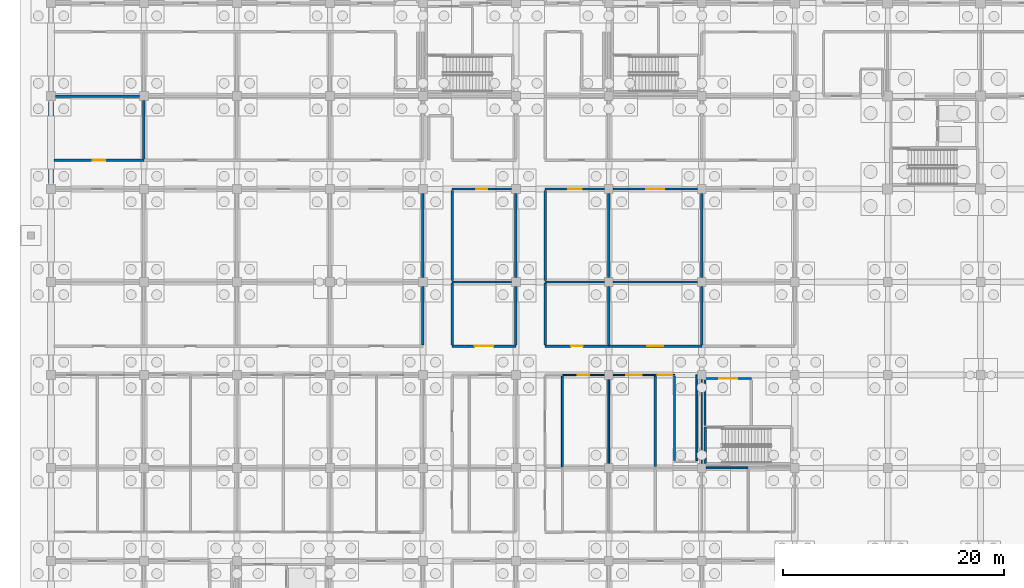
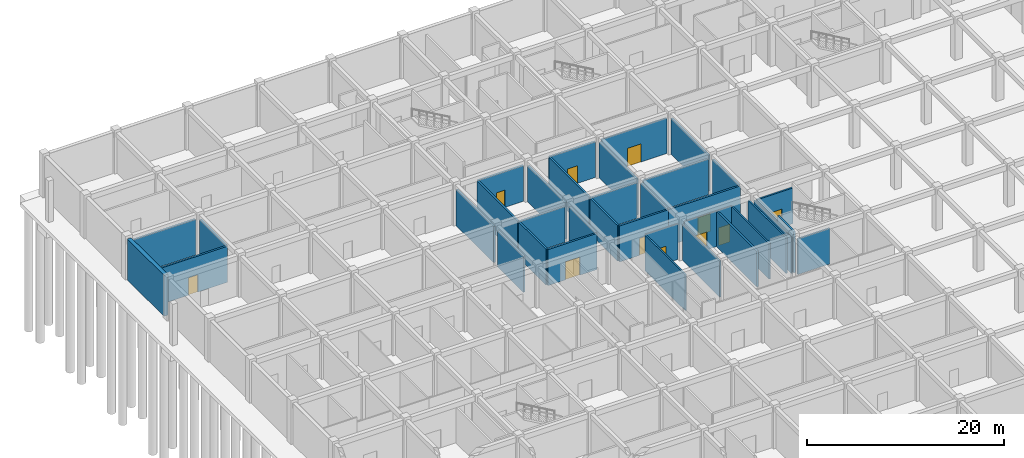
# One storey, part 38 of 65: 38 walls, 11 doors, 11 openings.
"""IFC4 building model written with IfcOpenShell, lengths in metres."""

from ifc_helpers import new_model, si_unit, direction, frame, frame_2d, origin, place, context, subcontext, project, spatial, rectangle, extrude, material, layer, layer_set, type_object, element, fill, save


model = new_model("IFC4")

# Units and contexts
model_context = context("Model", 3, precision=1e-05, world=origin(), true_north=direction((0.0, 1.0)))
body_context = subcontext(model_context, "Body", "Model", "MODEL_VIEW")
ifc_project = project(units=[si_unit("LENGTHUNIT", "METRE"), si_unit("AREAUNIT", "SQUARE_METRE"), si_unit("VOLUMEUNIT", "CUBIC_METRE"), si_unit("PLANEANGLEUNIT", "RADIAN"), si_unit("MASSUNIT", "GRAM", prefix="KILO")], contexts=[model_context])

# Site, building, storey
site_placement = place(None, origin())
site = spatial("IfcSite", under=ifc_project, at=site_placement, CompositionType="ELEMENT")
building_placement = place(site_placement, origin())
building = spatial("IfcBuilding", under=site, at=building_placement, Name="Bramfleet General Hospital", CompositionType="ELEMENT")
storey_placement = place(building_placement, frame((0.0, 0.0, -5.39990234375)))
storey = spatial("IfcBuildingStorey", under=building, at=storey_placement, Name="B1", CompositionType="ELEMENT", Elevation=-5.39990234375)

# Wall
ifc_material_1 = material(Name="Concrete C35/45", Category="concrete")
ifc_layer_1 = layer(ifc_material_1, 0.449951171875, Name="WT-EW-01")
ifc_layer_set_1 = layer_set([ifc_layer_1], Name="Concrete C35/45")
wall_type_1 = type_object("IfcWallType", Name="WT-EW-01", PredefinedType="SOLIDWALL", material=ifc_layer_set_1)
wall_1_placement = place(storey_placement, frame((0.0, 92.875, 0.0), z_axis=(0.0, 0.0, 1.0), x_axis=(0.0, 1.0, 0.0)))
element("IfcWall", 1, at=wall_1_placement, inside=storey, type_object=wall_type_1, Name="B1 Waterproof Retaining Wall 5", PredefinedType="SOLIDWALL", context=body_context, shape_type="SweptSolid", body=[
    extrude(rectangle(XDim=7.449951171875, YDim=0.449951171875, at=frame_2d((3.72509765625, 0.0))), origin(), (0.0, 0.0, 1.0), 5.079833984375),
])

# Wall, opening, door
ifc_layer_2 = layer(ifc_material_1, 0.219970703125, Name="WT-IW-01")
ifc_layer_set_2 = layer_set([ifc_layer_2], Name="Concrete C35/45")
wall_type_2 = type_object("IfcWallType", Name="WT-IW-01", PredefinedType="PARTITIONING", material=ifc_layer_set_2)
wall_2_placement = place(storey_placement, frame((36.25, 78.199951171875, 0.0), z_axis=(0.0, 0.0, 1.0), x_axis=(1.0, 0.0, 0.0)))
wall_2 = element("IfcWall", 2, at=wall_2_placement, inside=storey, type_object=wall_type_2, Name="B1 Interior Partition IW-B1-0227", PredefinedType="PARTITIONING", context=body_context, shape_type="SweptSolid", body=[
    extrude(rectangle(XDim=5.75, YDim=0.219970703125, at=frame_2d((2.875, 0.0))), origin(), (0.0, 0.0, 1.0), 4.469970703125),
])
opening_1_placement = place(wall_2_placement, frame((2.02490234375, 0.0, 0.0)))
opening_1 = element("IfcOpeningElement", 3, at=opening_1_placement, cuts=wall_2, Name="Opening D0263", PredefinedType="OPENING", context=body_context, shape_type="SweptSolid", body=[
    extrude(rectangle(XDim=1.699951171875, YDim=2.25, at=frame_2d((0.85009765625, 1.125))), frame((0.0, 0.119873046875, 0.0), z_axis=(0.0, -1.0, 0.0), x_axis=(1.0, 0.0, 0.0)), (0.0, 0.0, 1.0), 0.239990234375),
])
ifc_material_2 = material(Name="Stainless steel and acoustic timber leaf", Category="steel")
door_type_1 = type_object("IfcDoorType", Name="DR-D-07", OperationType="NOTDEFINED", PredefinedType="DOOR", material=ifc_material_2)
door_1_placement = place(opening_1_placement, origin())
door_1 = element("IfcDoor", 4, at=door_1_placement, inside=storey, type_object=door_type_1, Name="Central Sterile Supply Room B1-0409 Door D0263", OperationType="DOUBLE_SWING_RIGHT", OverallHeight=2.25, OverallWidth=1.699951171875, PredefinedType="DOOR", context=body_context, shape_type="SweptSolid", body=[
    extrude(rectangle(XDim=1.699951171875, YDim=2.25, at=frame_2d((0.85009765625, 1.125))), frame((0.0, 0.02490234375, 0.0), z_axis=(0.0, -1.0, 0.0), x_axis=(1.0, 0.0, 0.0)), (0.0, 0.0, 1.0), 0.050048828125),
])
fill(opening_1, door_1)

wall_3_placement = place(storey_placement, frame((44.64990234375, 78.199951171875, 0.0), z_axis=(0.0, 0.0, 1.0), x_axis=(1.0, 0.0, 0.0)))
wall_3 = element("IfcWall", 5, at=wall_3_placement, inside=storey, type_object=wall_type_2, Name="B1 Interior Partition IW-B1-0228", PredefinedType="PARTITIONING", context=body_context, shape_type="SweptSolid", body=[
    extrude(rectangle(XDim=5.75, YDim=0.219970703125, at=frame_2d((2.875, 0.0))), origin(), (0.0, 0.0, 1.0), 4.469970703125),
])
opening_2_placement = place(wall_3_placement, frame((2.3349609375, 0.0, 0.0)))
opening_2 = element("IfcOpeningElement", 6, at=opening_2_placement, cuts=wall_3, Name="Opening D0278", PredefinedType="OPENING", context=body_context, shape_type="SweptSolid", body=[
    extrude(rectangle(XDim=1.080078125, YDim=2.1201171875, at=frame_2d((0.5400390625, 1.06005859375))), frame((0.0, 0.119873046875, 0.0), z_axis=(0.0, -1.0, 0.0), x_axis=(1.0, 0.0, 0.0)), (0.0, 0.0, 1.0), 0.239990234375),
])
door_type_2 = type_object("IfcDoorType", Name="DR-D-22", OperationType="NOTDEFINED", PredefinedType="DOOR", material=ifc_material_2)
door_2_placement = place(opening_2_placement, origin())
door_2 = element("IfcDoor", 7, at=door_2_placement, inside=storey, type_object=door_type_2, Name="Central Sterile Supply Room B1-0509 Door D0278", OperationType="SINGLE_SWING_LEFT", OverallHeight=2.1201171875, OverallWidth=1.080078125, PredefinedType="DOOR", context=body_context, shape_type="SweptSolid", body=[
    extrude(rectangle(XDim=1.080078125, YDim=2.1201171875, at=frame_2d((0.5400390625, 1.06005859375))), frame((0.0, 0.02490234375, 0.0), z_axis=(0.0, -1.0, 0.0), x_axis=(1.0, 0.0, 0.0)), (0.0, 0.0, 1.0), 0.050048828125),
])
fill(opening_2, door_2)

wall_4_placement = place(storey_placement, frame((50.39990234375, 78.199951171875, 0.0), z_axis=(0.0, 0.0, 1.0), x_axis=(1.0, 0.0, 0.0)))
wall_4 = element("IfcWall", 8, at=wall_4_placement, inside=storey, type_object=wall_type_2, Name="B1 Interior Partition IW-B1-0229", PredefinedType="PARTITIONING", context=body_context, shape_type="SweptSolid", body=[
    extrude(rectangle(XDim=8.400146484375, YDim=0.219970703125, at=frame_2d((4.2001953125, 0.0))), origin(), (0.0, 0.0, 1.0), 4.469970703125),
])
opening_3_placement = place(wall_4_placement, frame((3.47509765625, 0.0, 0.0)))
opening_3 = element("IfcOpeningElement", 9, at=opening_3_placement, cuts=wall_4, Name="Opening D0291", PredefinedType="OPENING", context=body_context, shape_type="SweptSolid", body=[
    extrude(rectangle(XDim=1.449951171875, YDim=2.199951171875, at=frame_2d((0.72509765625, 1.10009765625))), frame((0.0, 0.119873046875, 0.0), z_axis=(0.0, -1.0, 0.0), x_axis=(1.0, 0.0, 0.0)), (0.0, 0.0, 1.0), 0.239990234375),
])
door_type_3 = type_object("IfcDoorType", Name="DR-D-03", OperationType="NOTDEFINED", PredefinedType="DOOR", material=ifc_material_2)
door_3_placement = place(opening_3_placement, origin())
door_3 = element("IfcDoor", 10, at=door_3_placement, inside=storey, type_object=door_type_3, Name="Central Sterile Supply Room B1-0609 Door D0291", OperationType="SINGLE_SWING_RIGHT", OverallHeight=2.199951171875, OverallWidth=1.449951171875, PredefinedType="DOOR", context=body_context, shape_type="SweptSolid", body=[
    extrude(rectangle(XDim=1.449951171875, YDim=2.199951171875, at=frame_2d((0.72509765625, 1.10009765625))), frame((0.0, 0.02490234375, 0.0), z_axis=(0.0, -1.0, 0.0), x_axis=(1.0, 0.0, 0.0)), (0.0, 0.0, 1.0), 0.050048828125),
])
fill(opening_3, door_3)

# Walls
for number, where, z_axis, x_axis, name in (
    (11, (36.25, 84.0, 0.0), (0.0, 0.0, 1.0), (1.0, 0.0, 0.0), "B1 Interior Partition IW-B1-0238"),
    (12, (44.64990234375, 84.0, 0.0), (0.0, 0.0, 1.0), (1.0, 0.0, 0.0), "B1 Interior Partition IW-B1-0239"),
):
    element("IfcWall", number, at=place(storey_placement, frame(where, z_axis=z_axis, x_axis=x_axis)), inside=storey, type_object=wall_type_2, Name=name, PredefinedType="PARTITIONING", context=body_context, shape_type="SweptSolid", body=[
        extrude(rectangle(XDim=5.35498046875, YDim=0.219970703125, at=frame_2d((2.677490234375, 0.0))), origin(), (0.0, 0.0, 1.0), 4.419921875),
    ])
wall_5_placement = place(storey_placement, frame((50.794921875, 84.0, 0.0), z_axis=(0.0, 0.0, 1.0), x_axis=(1.0, 0.0, 0.0)))
element("IfcWall", 13, at=wall_5_placement, inside=storey, type_object=wall_type_2, Name="B1 Interior Partition IW-B1-0240", PredefinedType="PARTITIONING", context=body_context, shape_type="SweptSolid", body=[
    extrude(rectangle(XDim=7.610107421875, YDim=0.219970703125, at=frame_2d((3.80517578125, 0.0))), origin(), (0.0, 0.0, 1.0), 4.419921875),
])

# Wall, opening, door
wall_6_placement = place(storey_placement, frame((36.25, 92.39990234375, 0.0), z_axis=(0.0, 0.0, 1.0), x_axis=(1.0, 0.0, 0.0)))
wall_6 = element("IfcWall", 14, at=wall_6_placement, inside=storey, type_object=wall_type_2, Name="B1 Interior Partition IW-B1-0257", PredefinedType="PARTITIONING", context=body_context, shape_type="SweptSolid", body=[
    extrude(rectangle(XDim=5.35498046875, YDim=0.219970703125, at=frame_2d((2.677490234375, 0.0))), origin(), (0.0, 0.0, 1.0), 4.419921875),
])
opening_4_placement = place(wall_6_placement, frame((2.177490234375, 0.0, 0.0)))
opening_4 = element("IfcOpeningElement", 15, at=opening_4_placement, cuts=wall_6, Name="Opening D0264", PredefinedType="OPENING", context=body_context, shape_type="SweptSolid", body=[
    extrude(rectangle(XDim=1.0, YDim=2.14990234375, at=frame_2d((0.5, 1.074951171875))), frame((0.0, 0.119873046875, 0.0), z_axis=(0.0, -1.0, 0.0), x_axis=(1.0, 0.0, 0.0)), (0.0, 0.0, 1.0), 0.239990234375),
])
door_type_4 = type_object("IfcDoorType", Name="DR-D-08", OperationType="NOTDEFINED", PredefinedType="DOOR", material=ifc_material_2)
door_4_placement = place(opening_4_placement, origin())
door_4 = element("IfcDoor", 16, at=door_4_placement, inside=storey, type_object=door_type_4, Name="Chiller and District Heating Plant B1-0410 Door D0264", OperationType="SINGLE_SWING_LEFT", OverallHeight=2.14990234375, OverallWidth=1.0, PredefinedType="DOOR", context=body_context, shape_type="SweptSolid", body=[
    extrude(rectangle(XDim=1.0, YDim=2.14990234375, at=frame_2d((0.5, 1.074951171875))), frame((0.0, 0.02490234375, 0.0), z_axis=(0.0, -1.0, 0.0), x_axis=(1.0, 0.0, 0.0)), (0.0, 0.0, 1.0), 0.050048828125),
])
fill(opening_4, door_4)

wall_7_placement = place(storey_placement, frame((44.64990234375, 92.39990234375, 0.0), z_axis=(0.0, 0.0, 1.0), x_axis=(1.0, 0.0, 0.0)))
wall_7 = element("IfcWall", 17, at=wall_7_placement, inside=storey, type_object=wall_type_2, Name="B1 Interior Partition IW-B1-0258", PredefinedType="PARTITIONING", context=body_context, shape_type="SweptSolid", body=[
    extrude(rectangle(XDim=5.35498046875, YDim=0.219970703125, at=frame_2d((2.677490234375, 0.0))), origin(), (0.0, 0.0, 1.0), 4.419921875),
])
opening_5_placement = place(wall_7_placement, frame((2.0673828125, 0.0, 0.0)))
opening_5 = element("IfcOpeningElement", 18, at=opening_5_placement, cuts=wall_7, Name="Opening D0279", PredefinedType="OPENING", context=body_context, shape_type="SweptSolid", body=[
    extrude(rectangle(XDim=1.219970703125, YDim=2.179931640625, at=frame_2d((0.60986328125, 1.08984375))), frame((0.0, 0.119873046875, 0.0), z_axis=(0.0, -1.0, 0.0), x_axis=(1.0, 0.0, 0.0)), (0.0, 0.0, 1.0), 0.239990234375),
])
door_type_5 = type_object("IfcDoorType", Name="DR-D-23", OperationType="NOTDEFINED", PredefinedType="DOOR", material=ifc_material_2)
door_5_placement = place(opening_5_placement, origin())
door_5 = element("IfcDoor", 19, at=door_5_placement, inside=storey, type_object=door_type_5, Name="Chiller and District Heating Plant B1-0510 Door D0279", OperationType="SINGLE_SWING_RIGHT", OverallHeight=2.179931640625, OverallWidth=1.219970703125, PredefinedType="DOOR", context=body_context, shape_type="SweptSolid", body=[
    extrude(rectangle(XDim=1.219970703125, YDim=2.179931640625, at=frame_2d((0.60986328125, 1.08984375))), frame((0.0, 0.02490234375, 0.0), z_axis=(0.0, -1.0, 0.0), x_axis=(1.0, 0.0, 0.0)), (0.0, 0.0, 1.0), 0.050048828125),
])
fill(opening_5, door_5)

wall_8_placement = place(storey_placement, frame((0.280029296875, 95.0, 0.0), z_axis=(0.0, 0.0, 1.0), x_axis=(1.0, 0.0, 0.0)))
wall_8 = element("IfcWall", 20, at=wall_8_placement, inside=storey, type_object=wall_type_2, Name="B1 Interior Partition IW-B1-0273", PredefinedType="PARTITIONING", context=body_context, shape_type="SweptSolid", body=[
    extrude(rectangle(XDim=8.119873046875, YDim=0.219970703125, at=frame_2d((4.06005859375, 0.0))), origin(), (0.0, 0.0, 1.0), 4.469970703125),
])
opening_6_placement = place(wall_8_placement, frame((3.510009765625, 0.0, 0.0)))
opening_6 = element("IfcOpeningElement", 21, at=opening_6_placement, cuts=wall_8, Name="Opening D0203", PredefinedType="OPENING", context=body_context, shape_type="SweptSolid", body=[
    extrude(rectangle(XDim=1.10009765625, YDim=2.14990234375, at=frame_2d((0.550048828125, 1.074951171875))), frame((0.0, 0.119873046875, 0.0), z_axis=(0.0, -1.0, 0.0), x_axis=(1.0, 0.0, 0.0)), (0.0, 0.0, 1.0), 0.239990234375),
])
door_type_6 = type_object("IfcDoorType", Name="DR-D-11", OperationType="NOTDEFINED", PredefinedType="DOOR", material=ifc_material_2)
door_6_placement = place(opening_6_placement, origin())
door_6 = element("IfcDoor", 22, at=door_6_placement, inside=storey, type_object=door_type_6, Name="Chiller and District Heating Plant B1-0011 Door D0203", OperationType="SINGLE_SWING_RIGHT", OverallHeight=2.14990234375, OverallWidth=1.10009765625, PredefinedType="DOOR", context=body_context, shape_type="SweptSolid", body=[
    extrude(rectangle(XDim=1.10009765625, YDim=2.14990234375, at=frame_2d((0.550048828125, 1.074951171875))), frame((0.0, 0.02490234375, 0.0), z_axis=(0.0, -1.0, 0.0), x_axis=(1.0, 0.0, 0.0)), (0.0, 0.0, 1.0), 0.050048828125),
])
fill(opening_6, door_6)

# Walls
wall_9_placement = place(storey_placement, frame((0.39501953125, 100.800048828125, 0.0), z_axis=(0.0, 0.0, 1.0), x_axis=(1.0, 0.0, 0.0)))
element("IfcWall", 23, at=wall_9_placement, inside=storey, type_object=wall_type_2, Name="B1 Interior Partition IW-B1-0282", PredefinedType="PARTITIONING", context=body_context, shape_type="SweptSolid", body=[
    extrude(rectangle(XDim=7.60986328125, YDim=0.219970703125, at=frame_2d((3.804931640625, 0.0))), origin(), (0.0, 0.0, 1.0), 4.419921875),
])
for number, where, z_axis, x_axis, name in (
    (24, (8.39990234375, 95.114990234375, 0.0), (0.0, 0.0, 1.0), (0.0, 1.0, 0.0), "B1 Interior Partition IW-B1-0340"),
    (25, (33.60009765625, 78.31494140625, 0.0), (0.0, 0.0, 1.0), (0.0, 1.0, 0.0), "B1 Interior Partition IW-B1-0395"),
):
    element("IfcWall", number, at=place(storey_placement, frame(where, z_axis=z_axis, x_axis=x_axis)), inside=storey, type_object=wall_type_2, Name=name, PredefinedType="PARTITIONING", context=body_context, shape_type="SweptSolid", body=[
        extrude(rectangle(XDim=5.2900390625, YDim=0.219970703125, at=frame_2d((2.64501953125, 0.0))), origin(), (0.0, 0.0, 1.0), 4.469970703125),
    ])
wall_10_placement = place(storey_placement, frame((33.60009765625, 84.39501953125, 0.0), z_axis=(0.0, 0.0, 1.0), x_axis=(0.0, 1.0, 0.0)))
element("IfcWall", 26, at=wall_10_placement, inside=storey, type_object=wall_type_2, Name="B1 Interior Partition IW-B1-0396", PredefinedType="PARTITIONING", context=body_context, shape_type="SweptSolid", body=[
    extrude(rectangle(XDim=7.60986328125, YDim=0.219970703125, at=frame_2d((3.804931640625, 0.0))), origin(), (0.0, 0.0, 1.0), 4.469970703125),
])
wall_11_placement = place(storey_placement, frame((36.25, 78.31494140625, 0.0), z_axis=(0.0, 0.0, 1.0), x_axis=(0.0, 1.0, 0.0)))
element("IfcWall", 27, at=wall_11_placement, inside=storey, type_object=wall_type_2, Name="B1 Interior Partition IW-B1-0410", PredefinedType="PARTITIONING", context=body_context, shape_type="SweptSolid", body=[
    extrude(rectangle(XDim=5.570068359375, YDim=0.219970703125, at=frame_2d((2.78515625, 0.0))), origin(), (0.0, 0.0, 1.0), 4.419921875),
])
wall_12_placement = place(storey_placement, frame((36.25, 84.114990234375, 0.0), z_axis=(0.0, 0.0, 1.0), x_axis=(0.0, 1.0, 0.0)))
element("IfcWall", 28, at=wall_12_placement, inside=storey, type_object=wall_type_2, Name="B1 Interior Partition IW-B1-0411", PredefinedType="PARTITIONING", context=body_context, shape_type="SweptSolid", body=[
    extrude(rectangle(XDim=8.169921875, YDim=0.219970703125, at=frame_2d((4.0849609375, 0.0))), origin(), (0.0, 0.0, 1.0), 4.419921875),
])
wall_13_placement = place(storey_placement, frame((42.0, 78.31494140625, 0.0), z_axis=(0.0, 0.0, 1.0), x_axis=(0.0, 1.0, 0.0)))
element("IfcWall", 29, at=wall_13_placement, inside=storey, type_object=wall_type_2, Name="B1 Interior Partition IW-B1-0424", PredefinedType="PARTITIONING", context=body_context, shape_type="SweptSolid", body=[
    extrude(rectangle(XDim=5.2900390625, YDim=0.219970703125, at=frame_2d((2.64501953125, 0.0))), origin(), (0.0, 0.0, 1.0), 4.469970703125),
])
wall_14_placement = place(storey_placement, frame((42.0, 84.39501953125, 0.0), z_axis=(0.0, 0.0, 1.0), x_axis=(0.0, 1.0, 0.0)))
element("IfcWall", 30, at=wall_14_placement, inside=storey, type_object=wall_type_2, Name="B1 Interior Partition IW-B1-0425", PredefinedType="PARTITIONING", context=body_context, shape_type="SweptSolid", body=[
    extrude(rectangle(XDim=7.60986328125, YDim=0.219970703125, at=frame_2d((3.804931640625, 0.0))), origin(), (0.0, 0.0, 1.0), 4.469970703125),
])
wall_15_placement = place(storey_placement, frame((44.64990234375, 78.31494140625, 0.0), z_axis=(0.0, 0.0, 1.0), x_axis=(0.0, 1.0, 0.0)))
element("IfcWall", 31, at=wall_15_placement, inside=storey, type_object=wall_type_2, Name="B1 Interior Partition IW-B1-0430", PredefinedType="PARTITIONING", context=body_context, shape_type="SweptSolid", body=[
    extrude(rectangle(XDim=5.570068359375, YDim=0.219970703125, at=frame_2d((2.78515625, 0.0))), origin(), (0.0, 0.0, 1.0), 4.419921875),
])
wall_16_placement = place(storey_placement, frame((44.64990234375, 84.114990234375, 0.0), z_axis=(0.0, 0.0, 1.0), x_axis=(0.0, 1.0, 0.0)))
element("IfcWall", 32, at=wall_16_placement, inside=storey, type_object=wall_type_2, Name="B1 Interior Partition IW-B1-0431", PredefinedType="PARTITIONING", context=body_context, shape_type="SweptSolid", body=[
    extrude(rectangle(XDim=8.169921875, YDim=0.219970703125, at=frame_2d((4.0849609375, 0.0))), origin(), (0.0, 0.0, 1.0), 4.419921875),
])
wall_17_placement = place(storey_placement, frame((50.39990234375, 78.31494140625, 0.0), z_axis=(0.0, 0.0, 1.0), x_axis=(0.0, 1.0, 0.0)))
element("IfcWall", 33, at=wall_17_placement, inside=storey, type_object=wall_type_2, Name="B1 Interior Partition IW-B1-0452", PredefinedType="PARTITIONING", context=body_context, shape_type="SweptSolid", body=[
    extrude(rectangle(XDim=5.2900390625, YDim=0.219970703125, at=frame_2d((2.64501953125, 0.0))), origin(), (0.0, 0.0, 1.0), 4.469970703125),
])
wall_18_placement = place(storey_placement, frame((50.39990234375, 84.39501953125, 0.0), z_axis=(0.0, 0.0, 1.0), x_axis=(0.0, 1.0, 0.0)))
element("IfcWall", 34, at=wall_18_placement, inside=storey, type_object=wall_type_2, Name="B1 Interior Partition IW-B1-0453", PredefinedType="PARTITIONING", context=body_context, shape_type="SweptSolid", body=[
    extrude(rectangle(XDim=7.60986328125, YDim=0.219970703125, at=frame_2d((3.804931640625, 0.0))), origin(), (0.0, 0.0, 1.0), 4.469970703125),
])
wall_19_placement = place(storey_placement, frame((58.800048828125, 78.31494140625, 0.0), z_axis=(0.0, 0.0, 1.0), x_axis=(0.0, 1.0, 0.0)))
element("IfcWall", 35, at=wall_19_placement, inside=storey, type_object=wall_type_2, Name="B1 Interior Partition IW-B1-0468", PredefinedType="PARTITIONING", context=body_context, shape_type="SweptSolid", body=[
    extrude(rectangle(XDim=5.2900390625, YDim=0.219970703125, at=frame_2d((2.64501953125, 0.0))), origin(), (0.0, 0.0, 1.0), 4.469970703125),
])
wall_20_placement = place(storey_placement, frame((58.800048828125, 84.39501953125, 0.0), z_axis=(0.0, 0.0, 1.0), x_axis=(0.0, 1.0, 0.0)))
element("IfcWall", 36, at=wall_20_placement, inside=storey, type_object=wall_type_2, Name="B1 Interior Partition IW-B1-0469", PredefinedType="PARTITIONING", context=body_context, shape_type="SweptSolid", body=[
    extrude(rectangle(XDim=7.60986328125, YDim=0.219970703125, at=frame_2d((3.804931640625, 0.0))), origin(), (0.0, 0.0, 1.0), 4.469970703125),
])
ifc_layer_3 = layer(ifc_material_1, 0.205078125, Name="WT-IW-02")
ifc_layer_set_3 = layer_set([ifc_layer_3], Name="Concrete C35/45")
wall_type_3 = type_object("IfcWallType", Name="WT-IW-02", PredefinedType="PARTITIONING", material=ifc_layer_set_3)
wall_21_placement = place(storey_placement, frame((59.10009765625, 71.0400390625, 0.0), z_axis=(0.0, 0.0, 1.0), x_axis=(0.0, 1.0, 0.0)))
element("IfcWall", 37, at=wall_21_placement, inside=storey, type_object=wall_type_3, Name="B1 C13 Lobby West Compartment Wall", PredefinedType="PARTITIONING", context=body_context, shape_type="SweptSolid", body=[
    extrude(rectangle(XDim=4.119873046875, YDim=0.205078125, at=frame_2d((2.06005859375, 0.0))), origin(), (0.0, 0.0, 1.0), 4.469970703125),
])

# Wall, opening, door
wall_22_placement = place(storey_placement, frame((59.10009765625, 75.280029296875, 0.0), z_axis=(0.0, 0.0, 1.0), x_axis=(1.0, 0.0, 0.0)))
wall_22 = element("IfcWall", 38, at=wall_22_placement, inside=storey, type_object=wall_type_3, Name="B1 C13 Lobby North Compartment Wall", PredefinedType="PARTITIONING", context=body_context, shape_type="SweptSolid", body=[
    extrude(rectangle(XDim=4.179931640625, YDim=0.205078125, at=frame_2d((2.08984375, 0.0))), origin(), (0.0, 0.0, 1.0), 4.419921875),
])
opening_7_placement = place(wall_22_placement, frame((1.2900390625, 0.0, 0.0)))
opening_7 = element("IfcOpeningElement", 39, at=opening_7_placement, cuts=wall_22, Name="Opening D0166", PredefinedType="OPENING", context=body_context, shape_type="SweptSolid", body=[
    extrude(rectangle(XDim=1.60009765625, YDim=2.25, at=frame_2d((0.800048828125, 1.125))), frame((0.0, 0.112548828125, 0.0), z_axis=(0.0, -1.0, 0.0), x_axis=(1.0, 0.0, 0.0)), (0.0, 0.0, 1.0), 0.22509765625),
])
door_type_7 = type_object("IfcDoorType", Name="DR-D-04", OperationType="NOTDEFINED", PredefinedType="DOOR", material=ifc_material_2)
door_7_placement = place(opening_7_placement, origin())
door_7 = element("IfcDoor", 40, at=door_7_placement, inside=storey, type_object=door_type_7, Name="B1 C13 Lobby Fire Door D0166", OperationType="DOUBLE_SWING_LEFT", OverallHeight=2.25, OverallWidth=1.60009765625, PredefinedType="DOOR", context=body_context, shape_type="SweptSolid", body=[
    extrude(rectangle(XDim=1.60009765625, YDim=2.25, at=frame_2d((0.800048828125, 1.125))), frame((0.0, 0.02490234375, 0.0), z_axis=(0.0, -1.0, 0.0), x_axis=(1.0, 0.0, 0.0)), (0.0, 0.0, 1.0), 0.050048828125),
])
fill(opening_7, door_7)

# Walls
wall_23_placement = place(storey_placement, frame((54.60009765625, 67.31494140625, 0.0), z_axis=(0.0, 0.0, 1.0), x_axis=(0.0, 1.0, 0.0)))
element("IfcWall", 41, at=wall_23_placement, inside=storey, type_object=wall_type_3, Name="B1 Interior Partition IW-B1-0458", PredefinedType="PARTITIONING", context=body_context, shape_type="SweptSolid", body=[
    extrude(rectangle(XDim=8.170166015625, YDim=0.205078125, at=frame_2d((4.0849609375, 0.0))), origin(), (0.0, 0.0, 1.0), 4.419921875),
])
ifc_layer_4 = layer(ifc_material_1, 0.18994140625, Name="WT-IW-03")
ifc_layer_set_4 = layer_set([ifc_layer_4], Name="Concrete C35/45")
wall_type_4 = type_object("IfcWallType", Name="WT-IW-03", PredefinedType="PARTITIONING", material=ifc_layer_set_4)
wall_24_placement = place(storey_placement, frame((56.35009765625, 67.864990234375, 0.0), z_axis=(0.0, 0.0, 1.0), x_axis=(0.0, 1.0, 0.0)))
element("IfcWall", 42, at=wall_24_placement, inside=storey, type_object=wall_type_4, Name="B1 Interior Partition IW-B1-0459", PredefinedType="PARTITIONING", context=body_context, shape_type="SweptSolid", body=[
    extrude(rectangle(XDim=7.6201171875, YDim=0.18994140625, at=frame_2d((3.81005859375, 0.0))), origin(), (0.0, 0.0, 1.0), 4.419921875),
])
ifc_layer_5 = layer(ifc_material_1, 0.179931640625, Name="WT-IW-04")
ifc_layer_set_5 = layer_set([ifc_layer_5], Name="Concrete C35/45")
wall_type_5 = type_object("IfcWallType", Name="WT-IW-04", PredefinedType="PARTITIONING", material=ifc_layer_set_5)
wall_25_placement = place(storey_placement, frame((59.195068359375, 67.199951171875, 0.0), z_axis=(0.0, 0.0, 1.0), x_axis=(1.0, 0.0, 0.0)))
element("IfcWall", 43, at=wall_25_placement, inside=storey, type_object=wall_type_5, Name="B1 Interior Partition IW-B1-0196", PredefinedType="PARTITIONING", context=body_context, shape_type="SweptSolid", body=[
    extrude(rectangle(XDim=3.804931640625, YDim=0.179931640625, at=frame_2d((1.90234375, 0.0))), origin(), (0.0, 0.0, 1.0), 4.419921875),
])
wall_26_placement = place(storey_placement, frame((46.199951171875, 67.31494140625, 0.0), z_axis=(0.0, 0.0, 1.0), x_axis=(0.0, 1.0, 0.0)))
element("IfcWall", 44, at=wall_26_placement, inside=storey, type_object=wall_type_5, Name="B1 Interior Partition IW-B1-0436", PredefinedType="PARTITIONING", context=body_context, shape_type="SweptSolid", body=[
    extrude(rectangle(XDim=8.170166015625, YDim=0.179931640625, at=frame_2d((4.0849609375, 0.0))), origin(), (0.0, 0.0, 1.0), 4.419921875),
])
wall_27_placement = place(storey_placement, frame((58.35009765625, 67.864990234375, 0.0), z_axis=(0.0, 0.0, 1.0), x_axis=(0.0, 1.0, 0.0)))
element("IfcWall", 45, at=wall_27_placement, inside=storey, type_object=wall_type_5, Name="B1 Interior Partition IW-B1-0460", PredefinedType="PARTITIONING", context=body_context, shape_type="SweptSolid", body=[
    extrude(rectangle(XDim=7.735107421875, YDim=0.179931640625, at=frame_2d((3.86767578125, 0.0))), origin(), (0.0, 0.0, 1.0), 4.419921875),
])

# Wall, opening, door
ifc_material_3 = material(Name="Gypsum plasterboard on acoustic steel studs", Category="steel")
ifc_layer_6 = layer(ifc_material_3, 0.14990234375, Name="WT-IW-07")
ifc_layer_set_6 = layer_set([ifc_layer_6], Name="Gypsum plasterboard on acoustic steel studs")
wall_type_6 = type_object("IfcWallType", Name="WT-IW-07", PredefinedType="PARTITIONING", material=ifc_layer_set_6)
wall_28_placement = place(storey_placement, frame((50.794921875, 92.39990234375, 0.0), z_axis=(0.0, 0.0, 1.0), x_axis=(1.0, 0.0, 0.0)))
wall_28 = element("IfcWall", 46, at=wall_28_placement, inside=storey, type_object=wall_type_6, Name="B1 Interior Partition IW-B1-0259", PredefinedType="PARTITIONING", context=body_context, shape_type="SweptSolid", body=[
    extrude(rectangle(XDim=7.610107421875, YDim=0.14990234375, at=frame_2d((3.80517578125, 0.0))), origin(), (0.0, 0.0, 1.0), 4.419921875),
])
opening_8_placement = place(wall_28_placement, frame((3.0048828125, 0.0, 0.0)))
opening_8 = element("IfcOpeningElement", 47, at=opening_8_placement, cuts=wall_28, Name="Opening D0292", PredefinedType="OPENING", context=body_context, shape_type="SweptSolid", body=[
    extrude(rectangle(XDim=1.60009765625, YDim=2.25, at=frame_2d((0.800048828125, 1.125))), frame((0.0, 0.0849609375, 0.0), z_axis=(0.0, -1.0, 0.0), x_axis=(1.0, 0.0, 0.0)), (0.0, 0.0, 1.0), 0.169921875),
])
door_8_placement = place(opening_8_placement, origin())
door_8 = element("IfcDoor", 48, at=door_8_placement, inside=storey, type_object=door_type_7, Name="Pharmacy Compact Storage and Medical Archive B1-0610 Door D0292", OperationType="DOUBLE_SWING_LEFT", OverallHeight=2.25, OverallWidth=1.60009765625, PredefinedType="DOOR", context=body_context, shape_type="SweptSolid", body=[
    extrude(rectangle(XDim=1.60009765625, YDim=2.25, at=frame_2d((0.800048828125, 1.125))), frame((0.0, 0.02490234375, 0.0), z_axis=(0.0, -1.0, 0.0), x_axis=(1.0, 0.0, 0.0)), (0.0, 0.0, 1.0), 0.050048828125),
])
fill(opening_8, door_8)

# Wall
wall_29_placement = place(storey_placement, frame((50.39990234375, 67.594970703125, 0.0), z_axis=(0.0, 0.0, 1.0), x_axis=(0.0, 1.0, 0.0)))
element("IfcWall", 49, at=wall_29_placement, inside=storey, type_object=wall_type_6, Name="B1 Interior Partition IW-B1-0451", PredefinedType="PARTITIONING", context=body_context, shape_type="SweptSolid", body=[
    extrude(rectangle(XDim=7.610107421875, YDim=0.14990234375, at=frame_2d((3.80517578125, 0.0))), origin(), (0.0, 0.0, 1.0), 4.469970703125),
])

# Wall, opening, door
ifc_layer_7 = layer(ifc_material_3, 0.1201171875, Name="WT-IW-10")
ifc_layer_set_7 = layer_set([ifc_layer_7], Name="Gypsum plasterboard on acoustic steel studs")
wall_type_7 = type_object("IfcWallType", Name="WT-IW-10", PredefinedType="PARTITIONING", material=ifc_layer_set_7)
wall_30_placement = place(storey_placement, frame((46.199951171875, 75.60009765625, 0.0), z_axis=(0.0, 0.0, 1.0), x_axis=(1.0, 0.0, 0.0)))
wall_30 = element("IfcWall", 50, at=wall_30_placement, inside=storey, type_object=wall_type_7, Name="B1 Interior Partition IW-B1-0214", PredefinedType="PARTITIONING", context=body_context, shape_type="SweptSolid", body=[
    extrude(rectangle(XDim=3.804931640625, YDim=0.1201171875, at=frame_2d((1.90234375, 0.0))), origin(), (0.0, 0.0, 1.0), 4.419921875),
])
opening_9_placement = place(wall_30_placement, frame((1.392578125, 0.0, 0.0)))
opening_9 = element("IfcOpeningElement", 51, at=opening_9_placement, cuts=wall_30, Name="Opening D0277", PredefinedType="OPENING", context=body_context, shape_type="SweptSolid", body=[
    extrude(rectangle(XDim=1.02001953125, YDim=2.1201171875, at=frame_2d((0.510009765625, 1.06005859375))), frame((0.0, 0.070068359375, 0.0), z_axis=(0.0, -1.0, 0.0), x_axis=(1.0, 0.0, 0.0)), (0.0, 0.0, 1.0), 0.14013671875),
])
door_type_8 = type_object("IfcDoorType", Name="DR-D-21", OperationType="NOTDEFINED", PredefinedType="DOOR", material=ifc_material_2)
door_9_placement = place(opening_9_placement, origin())
door_9 = element("IfcDoor", 52, at=door_9_placement, inside=storey, type_object=door_type_8, Name="Clinical Engineering Workshop B1-0508 Door D0277", OperationType="SINGLE_SWING_RIGHT", OverallHeight=2.1201171875, OverallWidth=1.02001953125, PredefinedType="DOOR", context=body_context, shape_type="SweptSolid", body=[
    extrude(rectangle(XDim=1.02001953125, YDim=2.1201171875, at=frame_2d((0.510009765625, 1.06005859375))), frame((0.0, 0.02490234375, 0.0), z_axis=(0.0, -1.0, 0.0), x_axis=(1.0, 0.0, 0.0)), (0.0, 0.0, 1.0), 0.050048828125),
])
fill(opening_9, door_9)

ifc_layer_8 = layer(ifc_material_3, 0.112060546875, Name="WT-IW-11")
ifc_layer_set_8 = layer_set([ifc_layer_8], Name="Gypsum plasterboard on acoustic steel studs")
wall_type_8 = type_object("IfcWallType", Name="WT-IW-11", PredefinedType="PARTITIONING", material=ifc_layer_set_8)
wall_31_placement = place(storey_placement, frame((50.794921875, 75.60009765625, 0.0), z_axis=(0.0, 0.0, 1.0), x_axis=(1.0, 0.0, 0.0)))
wall_31 = element("IfcWall", 53, at=wall_31_placement, inside=storey, type_object=wall_type_8, Name="B1 Interior Partition IW-B1-0215", PredefinedType="PARTITIONING", context=body_context, shape_type="SweptSolid", body=[
    extrude(rectangle(XDim=3.80517578125, YDim=0.112060546875, at=frame_2d((1.902587890625, 0.0))), origin(), (0.0, 0.0, 1.0), 4.419921875),
])
opening_10_placement = place(wall_31_placement, frame((1.202392578125, 0.0, 0.0)))
opening_10 = element("IfcOpeningElement", 54, at=opening_10_placement, cuts=wall_31, Name="Opening D0289", PredefinedType="OPENING", context=body_context, shape_type="SweptSolid", body=[
    extrude(rectangle(XDim=1.39990234375, YDim=2.199951171875, at=frame_2d((0.699951171875, 1.10009765625))), frame((0.0, 0.06591796875, 0.0), z_axis=(0.0, -1.0, 0.0), x_axis=(1.0, 0.0, 0.0)), (0.0, 0.0, 1.0), 0.132080078125),
])
door_type_9 = type_object("IfcDoorType", Name="DR-D-01", OperationType="NOTDEFINED", PredefinedType="DOOR", material=ifc_material_2)
door_10_placement = place(opening_10_placement, origin())
door_10 = element("IfcDoor", 55, at=door_10_placement, inside=storey, type_object=door_type_9, Name="Clean Medical Supply Store B1-0608 Door D0289", OperationType="SINGLE_SWING_RIGHT", OverallHeight=2.199951171875, OverallWidth=1.39990234375, PredefinedType="DOOR", context=body_context, shape_type="SweptSolid", body=[
    extrude(rectangle(XDim=1.39990234375, YDim=2.199951171875, at=frame_2d((0.699951171875, 1.10009765625))), frame((0.0, 0.02490234375, 0.0), z_axis=(0.0, -1.0, 0.0), x_axis=(1.0, 0.0, 0.0)), (0.0, 0.0, 1.0), 0.050048828125),
])
fill(opening_10, door_10)

# Wall
wall_32_placement = place(storey_placement, frame((58.800048828125, 67.594970703125, 0.0), z_axis=(0.0, 0.0, 1.0), x_axis=(0.0, 1.0, 0.0)))
element("IfcWall", 56, at=wall_32_placement, inside=storey, type_object=wall_type_8, Name="B1 Interior Partition IW-B1-0467", PredefinedType="PARTITIONING", context=body_context, shape_type="SweptSolid", body=[
    extrude(rectangle(XDim=7.610107421875, YDim=0.112060546875, at=frame_2d((3.80517578125, 0.0))), origin(), (0.0, 0.0, 1.0), 4.469970703125),
])

# Wall, opening, door
ifc_layer_9 = layer(ifc_material_3, 0.10009765625, Name="WT-IW-12")
ifc_layer_set_9 = layer_set([ifc_layer_9], Name="Gypsum plasterboard on acoustic steel studs")
wall_type_9 = type_object("IfcWallType", Name="WT-IW-12", PredefinedType="PARTITIONING", material=ifc_layer_set_9)
wall_33_placement = place(storey_placement, frame((54.60009765625, 75.60009765625, 0.0), z_axis=(0.0, 0.0, 1.0), x_axis=(1.0, 0.0, 0.0)))
wall_33 = element("IfcWall", 57, at=wall_33_placement, inside=storey, type_object=wall_type_9, Name="B1 Interior Partition IW-B1-0216", PredefinedType="PARTITIONING", context=body_context, shape_type="SweptSolid", body=[
    extrude(rectangle(XDim=1.75, YDim=0.10009765625, at=frame_2d((0.875, 0.0))), origin(), (0.0, 0.0, 1.0), 4.419921875),
])
opening_11_placement = place(wall_33_placement, frame((0.199951171875, 0.0, 0.0)))
opening_11 = element("IfcOpeningElement", 58, at=opening_11_placement, cuts=wall_33, Name="Opening D0290", PredefinedType="OPENING", context=body_context, shape_type="SweptSolid", body=[
    extrude(rectangle(XDim=1.35009765625, YDim=2.199951171875, at=frame_2d((0.675048828125, 1.10009765625))), frame((0.0, 0.06005859375, 0.0), z_axis=(0.0, -1.0, 0.0), x_axis=(1.0, 0.0, 0.0)), (0.0, 0.0, 1.0), 0.1201171875),
])
door_type_10 = type_object("IfcDoorType", Name="DR-D-02", OperationType="NOTDEFINED", PredefinedType="DOOR", material=ifc_material_2)
door_11_placement = place(opening_11_placement, origin())
door_11 = element("IfcDoor", 59, at=door_11_placement, inside=storey, type_object=door_type_10, Name="Clinical Engineering Workshop B1-0608 Door D0290", OperationType="SINGLE_SWING_LEFT", OverallHeight=2.199951171875, OverallWidth=1.35009765625, PredefinedType="DOOR", context=body_context, shape_type="SweptSolid", body=[
    extrude(rectangle(XDim=1.35009765625, YDim=2.199951171875, at=frame_2d((0.675048828125, 1.10009765625))), frame((0.0, 0.02490234375, 0.0), z_axis=(0.0, -1.0, 0.0), x_axis=(1.0, 0.0, 0.0)), (0.0, 0.0, 1.0), 0.050048828125),
])
fill(opening_11, door_11)

# Wall
ifc_material_4 = material(Name="Concrete C40/50", Category="concrete")
ifc_layer_10 = layer(ifc_material_4, 0.239990234375, Name="WT-SW-240")
ifc_layer_set_10 = layer_set([ifc_layer_10], Name="Concrete C40/50")
wall_type_10 = type_object("IfcWallType", Name="WT-SW-240", PredefinedType="SHEAR", material=ifc_layer_set_10)
wall_34_placement = place(storey_placement, frame((59.10009765625, 67.580078125, 0.0), z_axis=(0.0, 0.0, 1.0), x_axis=(0.0, 1.0, 0.0)))
element("IfcWall", 60, at=wall_34_placement, inside=storey, type_object=wall_type_10, Name="B1 C13 West Stair Shear Wall", PredefinedType="SHEAR", context=body_context, shape_type="SweptSolid", body=[
    extrude(rectangle(XDim=3.31982421875, YDim=0.239990234375, at=frame_2d((1.659912109375, 0.0))), origin(), (0.0, 0.0, 1.0), 5.079833984375),
])

save(model, "model.ifc")
